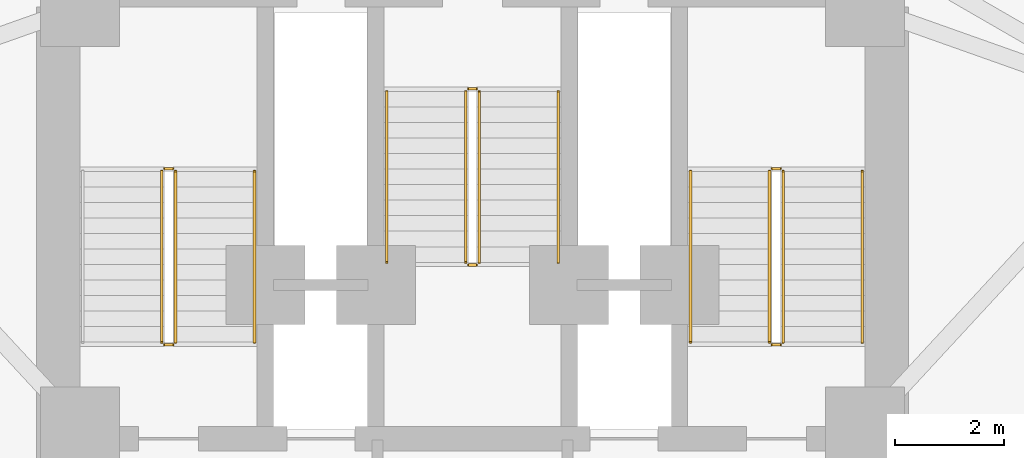
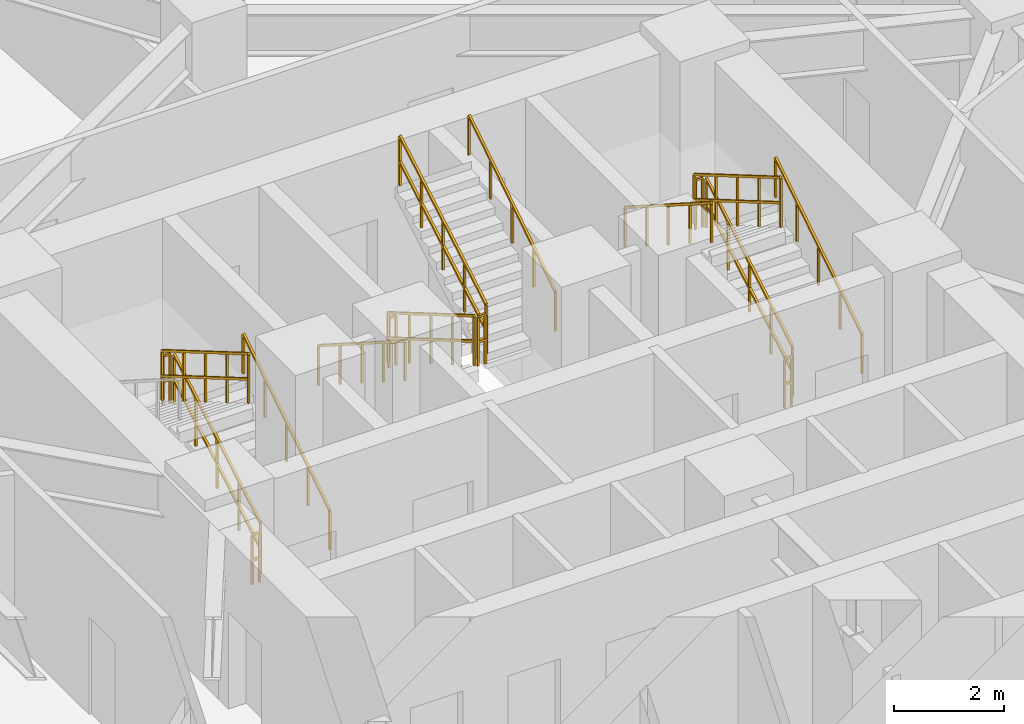
# One storey, part 8 of 9: 17 railings.
"""IFC4 building model written with IfcOpenShell, lengths in metres."""

from ifc_helpers import new_model, si_unit, direction, frame, origin, origin_2d, place, context, subcontext, project, spatial, rectangle, extrude, material, type_object, element, save


model = new_model("IFC4")

# Units and contexts
model_context = context("Model", 3, precision=1e-05, world=origin(), true_north=direction((0.0, 1.0)))
body_context = subcontext(model_context, "Body", "Model", "MODEL_VIEW")
ifc_project = project(units=[si_unit("LENGTHUNIT", "METRE"), si_unit("AREAUNIT", "SQUARE_METRE"), si_unit("VOLUMEUNIT", "CUBIC_METRE"), si_unit("PLANEANGLEUNIT", "RADIAN"), si_unit("MASSUNIT", "GRAM", prefix="KILO")], contexts=[model_context])

# Site, building, storey
site_placement = place(None, origin())
site = spatial("IfcSite", under=ifc_project, at=site_placement, CompositionType="ELEMENT")
building_placement = place(site_placement, origin())
building = spatial("IfcBuilding", under=site, at=building_placement, Name="Apsidion Concourse Tower", CompositionType="ELEMENT")
storey_placement = place(building_placement, frame((0.0, 0.0, 111.0)))
storey = spatial("IfcBuildingStorey", under=building, at=storey_placement, Name="L25", CompositionType="ELEMENT", Elevation=111.0)

# Railings
ifc_material = material(Name="Brushed stainless steel 316", Category="steel")
railing_type_1 = type_object("IfcRailingType", Name="RL-GUARD-1100", PredefinedType="GUARDRAIL", material=ifc_material)
railing_1_placement = place(storey_placement, frame((-5.449951171875, 3.0, 0.166748046875)))
element("IfcRailing", 1, at=railing_1_placement, inside=storey, type_object=railing_type_1, Name="L25 ST1 stair guard 1", PredefinedType="GUARDRAIL", context=body_context, shape_type="SweptSolid", body=[
    extrude(rectangle(XDim=0.048095703125, YDim=0.048095703125, at=origin_2d()), frame((0.0, 0.0, 1.09619140625), z_axis=(0.0, 0.863239559939, 0.504794475164), x_axis=(-1.0, 0.0, 0.0)), (0.0, 0.0, 1.0), 3.631591796875),
    extrude(rectangle(XDim=0.048095703125, YDim=0.048095703125, at=origin_2d()), frame((0.0, 0.0, 0.5361328125), z_axis=(0.0, 0.863239559939, 0.504794475164), x_axis=(-1.0, 0.0, 0.0)), (0.0, 0.0, 1.0), 3.631591796875),
    extrude(rectangle(XDim=0.0419921875, YDim=0.0419921875, at=origin_2d()), origin(), (0.0, 0.0, 1.0), 1.072021484375),
    extrude(rectangle(XDim=0.0419921875, YDim=0.0419921875, at=origin_2d()), frame((0.0, 0.78369140625, 0.458251953125)), (0.0, 0.0, 1.0), 1.072021484375),
    extrude(rectangle(XDim=0.0419921875, YDim=0.0419921875, at=origin_2d()), frame((0.0, 1.5673828125, 0.91650390625)), (0.0, 0.0, 1.0), 1.072021484375),
    extrude(rectangle(XDim=0.0419921875, YDim=0.0419921875, at=origin_2d()), frame((0.0, 2.351318359375, 1.375)), (0.0, 0.0, 1.0), 1.072021484375),
    extrude(rectangle(XDim=0.0419921875, YDim=0.0419921875, at=origin_2d()), frame((0.0, 3.135009765625, 1.833251953125)), (0.0, 0.0, 1.0), 1.072021484375),
])
railing_2_placement = place(storey_placement, frame((-5.5, 6.18505859375, 2.0)))
element("IfcRailing", 2, at=railing_2_placement, inside=storey, type_object=railing_type_1, Name="L25 ST1 stair guard 2", PredefinedType="GUARDRAIL", context=body_context, shape_type="SweptSolid", body=[
    extrude(rectangle(XDim=0.048095703125, YDim=0.048095703125, at=origin_2d()), frame((0.0, 0.0, 1.09619140625), z_axis=(-1.0, 0.0, 0.0), x_axis=(0.0, -1.0, 0.0)), (0.0, 0.0, 1.0), 0.14990234375),
    extrude(rectangle(XDim=0.048095703125, YDim=0.048095703125, at=origin_2d()), frame((0.0, 0.0, 0.5361328125), z_axis=(-1.0, 0.0, 0.0), x_axis=(0.0, -1.0, 0.0)), (0.0, 0.0, 1.0), 0.14990234375),
    extrude(rectangle(XDim=0.0419921875, YDim=0.0419921875, at=origin_2d()), origin(), (0.0, 0.0, 1.0), 1.072021484375),
    extrude(rectangle(XDim=0.0419921875, YDim=0.0419921875, at=origin_2d()), frame((-0.14990234375, 0.0, 0.0)), (0.0, 0.0, 1.0), 1.072021484375),
])
railing_3_placement = place(storey_placement, frame((-5.699951171875, 6.135009765625, 2.166748046875)))
element("IfcRailing", 3, at=railing_3_placement, inside=storey, type_object=railing_type_1, Name="L25 ST1 stair guard 3", PredefinedType="GUARDRAIL", context=body_context, shape_type="SweptSolid", body=[
    extrude(rectangle(XDim=0.048095703125, YDim=0.048095703125, at=origin_2d()), frame((0.0, 0.0, 1.09619140625), z_axis=(0.0, -0.863239559939, 0.504794475164), x_axis=(1.0, 0.0, 0.0)), (0.0, 0.0, 1.0), 3.631591796875),
    extrude(rectangle(XDim=0.048095703125, YDim=0.048095703125, at=origin_2d()), frame((0.0, 0.0, 0.5361328125), z_axis=(0.0, -0.863239559939, 0.504794475164), x_axis=(1.0, 0.0, 0.0)), (0.0, 0.0, 1.0), 3.631591796875),
    extrude(rectangle(XDim=0.0419921875, YDim=0.0419921875, at=origin_2d()), origin(), (0.0, 0.0, 1.0), 1.072021484375),
    extrude(rectangle(XDim=0.0419921875, YDim=0.0419921875, at=origin_2d()), frame((0.0, -0.78369140625, 0.458251953125)), (0.0, 0.0, 1.0), 1.072021484375),
    extrude(rectangle(XDim=0.0419921875, YDim=0.0419921875, at=origin_2d()), frame((0.0, -1.5673828125, 0.91650390625)), (0.0, 0.0, 1.0), 1.072021484375),
    extrude(rectangle(XDim=0.0419921875, YDim=0.0419921875, at=origin_2d()), frame((0.0, -2.351318359375, 1.375)), (0.0, 0.0, 1.0), 1.072021484375),
    extrude(rectangle(XDim=0.0419921875, YDim=0.0419921875, at=origin_2d()), frame((0.0, -3.135009765625, 1.833251953125)), (0.0, 0.0, 1.0), 1.072021484375),
])
railing_4_placement = place(storey_placement, frame((-5.5, 2.949951171875, 0.0)))
element("IfcRailing", 4, at=railing_4_placement, inside=storey, type_object=railing_type_1, Name="L25 ST1 stair guard 4", PredefinedType="GUARDRAIL", context=body_context, shape_type="SweptSolid", body=[
    extrude(rectangle(XDim=0.048095703125, YDim=0.048095703125, at=origin_2d()), frame((0.0, 0.0, 1.09619140625), z_axis=(-1.0, 0.0, 0.0), x_axis=(0.0, -1.0, 0.0)), (0.0, 0.0, 1.0), 0.14990234375),
    extrude(rectangle(XDim=0.048095703125, YDim=0.048095703125, at=origin_2d()), frame((0.0, 0.0, 0.5361328125), z_axis=(-1.0, 0.0, 0.0), x_axis=(0.0, -1.0, 0.0)), (0.0, 0.0, 1.0), 0.14990234375),
    extrude(rectangle(XDim=0.0419921875, YDim=0.0419921875, at=origin_2d()), origin(), (0.0, 0.0, 1.0), 1.072021484375),
    extrude(rectangle(XDim=0.0419921875, YDim=0.0419921875, at=origin_2d()), frame((-0.14990234375, 0.0, 0.0)), (0.0, 0.0, 1.0), 1.072021484375),
])
railing_5_placement = place(storey_placement, frame((5.699951171875, 3.0, 0.166748046875)))
element("IfcRailing", 5, at=railing_5_placement, inside=storey, type_object=railing_type_1, Name="L25 ST2 stair guard 1", PredefinedType="GUARDRAIL", context=body_context, shape_type="SweptSolid", body=[
    extrude(rectangle(XDim=0.048095703125, YDim=0.048095703125, at=origin_2d()), frame((0.0, 0.0, 1.09619140625), z_axis=(0.0, 0.863239559939, 0.504794475164), x_axis=(-1.0, 0.0, 0.0)), (0.0, 0.0, 1.0), 3.631591796875),
    extrude(rectangle(XDim=0.048095703125, YDim=0.048095703125, at=origin_2d()), frame((0.0, 0.0, 0.5361328125), z_axis=(0.0, 0.863239559939, 0.504794475164), x_axis=(-1.0, 0.0, 0.0)), (0.0, 0.0, 1.0), 3.631591796875),
    extrude(rectangle(XDim=0.0419921875, YDim=0.0419921875, at=origin_2d()), origin(), (0.0, 0.0, 1.0), 1.072021484375),
    extrude(rectangle(XDim=0.0419921875, YDim=0.0419921875, at=origin_2d()), frame((0.0, 0.78369140625, 0.458251953125)), (0.0, 0.0, 1.0), 1.072021484375),
    extrude(rectangle(XDim=0.0419921875, YDim=0.0419921875, at=origin_2d()), frame((0.0, 1.5673828125, 0.91650390625)), (0.0, 0.0, 1.0), 1.072021484375),
    extrude(rectangle(XDim=0.0419921875, YDim=0.0419921875, at=origin_2d()), frame((0.0, 2.351318359375, 1.375)), (0.0, 0.0, 1.0), 1.072021484375),
    extrude(rectangle(XDim=0.0419921875, YDim=0.0419921875, at=origin_2d()), frame((0.0, 3.135009765625, 1.833251953125)), (0.0, 0.0, 1.0), 1.072021484375),
])
railing_6_placement = place(storey_placement, frame((5.64990234375, 6.18505859375, 2.0)))
element("IfcRailing", 6, at=railing_6_placement, inside=storey, type_object=railing_type_1, Name="L25 ST2 stair guard 2", PredefinedType="GUARDRAIL", context=body_context, shape_type="SweptSolid", body=[
    extrude(rectangle(XDim=0.048095703125, YDim=0.048095703125, at=origin_2d()), frame((0.0, 0.0, 1.09619140625), z_axis=(-1.0, 0.0, 0.0), x_axis=(0.0, -1.0, 0.0)), (0.0, 0.0, 1.0), 0.14990234375),
    extrude(rectangle(XDim=0.048095703125, YDim=0.048095703125, at=origin_2d()), frame((0.0, 0.0, 0.5361328125), z_axis=(-1.0, 0.0, 0.0), x_axis=(0.0, -1.0, 0.0)), (0.0, 0.0, 1.0), 0.14990234375),
    extrude(rectangle(XDim=0.0419921875, YDim=0.0419921875, at=origin_2d()), origin(), (0.0, 0.0, 1.0), 1.072021484375),
    extrude(rectangle(XDim=0.0419921875, YDim=0.0419921875, at=origin_2d()), frame((-0.14990234375, 0.0, 0.0)), (0.0, 0.0, 1.0), 1.072021484375),
])
railing_7_placement = place(storey_placement, frame((5.449951171875, 6.135009765625, 2.166748046875)))
element("IfcRailing", 7, at=railing_7_placement, inside=storey, type_object=railing_type_1, Name="L25 ST2 stair guard 3", PredefinedType="GUARDRAIL", context=body_context, shape_type="SweptSolid", body=[
    extrude(rectangle(XDim=0.048095703125, YDim=0.048095703125, at=origin_2d()), frame((0.0, 0.0, 1.09619140625), z_axis=(0.0, -0.863239559939, 0.504794475164), x_axis=(1.0, 0.0, 0.0)), (0.0, 0.0, 1.0), 3.631591796875),
    extrude(rectangle(XDim=0.048095703125, YDim=0.048095703125, at=origin_2d()), frame((0.0, 0.0, 0.5361328125), z_axis=(0.0, -0.863239559939, 0.504794475164), x_axis=(1.0, 0.0, 0.0)), (0.0, 0.0, 1.0), 3.631591796875),
    extrude(rectangle(XDim=0.0419921875, YDim=0.0419921875, at=origin_2d()), origin(), (0.0, 0.0, 1.0), 1.072021484375),
    extrude(rectangle(XDim=0.0419921875, YDim=0.0419921875, at=origin_2d()), frame((0.0, -0.78369140625, 0.458251953125)), (0.0, 0.0, 1.0), 1.072021484375),
    extrude(rectangle(XDim=0.0419921875, YDim=0.0419921875, at=origin_2d()), frame((0.0, -1.5673828125, 0.91650390625)), (0.0, 0.0, 1.0), 1.072021484375),
    extrude(rectangle(XDim=0.0419921875, YDim=0.0419921875, at=origin_2d()), frame((0.0, -2.351318359375, 1.375)), (0.0, 0.0, 1.0), 1.072021484375),
    extrude(rectangle(XDim=0.0419921875, YDim=0.0419921875, at=origin_2d()), frame((0.0, -3.135009765625, 1.833251953125)), (0.0, 0.0, 1.0), 1.072021484375),
])
railing_8_placement = place(storey_placement, frame((5.64990234375, 2.949951171875, 0.0)))
element("IfcRailing", 8, at=railing_8_placement, inside=storey, type_object=railing_type_1, Name="L25 ST2 stair guard 4", PredefinedType="GUARDRAIL", context=body_context, shape_type="SweptSolid", body=[
    extrude(rectangle(XDim=0.048095703125, YDim=0.048095703125, at=origin_2d()), frame((0.0, 0.0, 1.09619140625), z_axis=(-1.0, 0.0, 0.0), x_axis=(0.0, -1.0, 0.0)), (0.0, 0.0, 1.0), 0.14990234375),
    extrude(rectangle(XDim=0.048095703125, YDim=0.048095703125, at=origin_2d()), frame((0.0, 0.0, 0.5361328125), z_axis=(-1.0, 0.0, 0.0), x_axis=(0.0, -1.0, 0.0)), (0.0, 0.0, 1.0), 0.14990234375),
    extrude(rectangle(XDim=0.0419921875, YDim=0.0419921875, at=origin_2d()), origin(), (0.0, 0.0, 1.0), 1.072021484375),
    extrude(rectangle(XDim=0.0419921875, YDim=0.0419921875, at=origin_2d()), frame((-0.14990234375, 0.0, 0.0)), (0.0, 0.0, 1.0), 1.072021484375),
])
railing_9_placement = place(storey_placement, frame((-0.125, 7.60009765625, 0.166748046875)))
element("IfcRailing", 9, at=railing_9_placement, inside=storey, type_object=railing_type_1, Name="L25 ST3 stair guard 1", PredefinedType="GUARDRAIL", context=body_context, shape_type="SweptSolid", body=[
    extrude(rectangle(XDim=0.048095703125, YDim=0.048095703125, at=origin_2d()), frame((0.0, 0.0, 1.09619140625), z_axis=(0.0, -0.863239559939, 0.504794475164), x_axis=(1.0, 0.0, 0.0)), (0.0, 0.0, 1.0), 3.631591796875),
    extrude(rectangle(XDim=0.048095703125, YDim=0.048095703125, at=origin_2d()), frame((0.0, 0.0, 0.5361328125), z_axis=(0.0, -0.863239559939, 0.504794475164), x_axis=(1.0, 0.0, 0.0)), (0.0, 0.0, 1.0), 3.631591796875),
    extrude(rectangle(XDim=0.0419921875, YDim=0.0419921875, at=origin_2d()), origin(), (0.0, 0.0, 1.0), 1.072021484375),
    extrude(rectangle(XDim=0.0419921875, YDim=0.0419921875, at=origin_2d()), frame((0.0, -0.78369140625, 0.458251953125)), (0.0, 0.0, 1.0), 1.072021484375),
    extrude(rectangle(XDim=0.0419921875, YDim=0.0419921875, at=origin_2d()), frame((0.0, -1.5673828125, 0.91650390625)), (0.0, 0.0, 1.0), 1.072021484375),
    extrude(rectangle(XDim=0.0419921875, YDim=0.0419921875, at=origin_2d()), frame((0.0, -2.351318359375, 1.375)), (0.0, 0.0, 1.0), 1.072021484375),
    extrude(rectangle(XDim=0.0419921875, YDim=0.0419921875, at=origin_2d()), frame((0.0, -3.135009765625, 1.833251953125)), (0.0, 0.0, 1.0), 1.072021484375),
])
railing_10_placement = place(storey_placement, frame((-0.074951171875, 4.4150390625, 2.0)))
element("IfcRailing", 10, at=railing_10_placement, inside=storey, type_object=railing_type_1, Name="L25 ST3 stair guard 2", PredefinedType="GUARDRAIL", context=body_context, shape_type="SweptSolid", body=[
    extrude(rectangle(XDim=0.048095703125, YDim=0.048095703125, at=origin_2d()), frame((0.0, 0.0, 1.09619140625), z_axis=(1.0, 0.0, 0.0), x_axis=(0.0, 1.0, 0.0)), (0.0, 0.0, 1.0), 0.14990234375),
    extrude(rectangle(XDim=0.048095703125, YDim=0.048095703125, at=origin_2d()), frame((0.0, 0.0, 0.5361328125), z_axis=(1.0, 0.0, 0.0), x_axis=(0.0, 1.0, 0.0)), (0.0, 0.0, 1.0), 0.14990234375),
    extrude(rectangle(XDim=0.0419921875, YDim=0.0419921875, at=origin_2d()), origin(), (0.0, 0.0, 1.0), 1.072021484375),
    extrude(rectangle(XDim=0.0419921875, YDim=0.0419921875, at=origin_2d()), frame((0.14990234375, 0.0, 0.0)), (0.0, 0.0, 1.0), 1.072021484375),
])
railing_11_placement = place(storey_placement, frame((0.125, 4.465087890625, 2.166748046875)))
element("IfcRailing", 11, at=railing_11_placement, inside=storey, type_object=railing_type_1, Name="L25 ST3 stair guard 3", PredefinedType="GUARDRAIL", context=body_context, shape_type="SweptSolid", body=[
    extrude(rectangle(XDim=0.048095703125, YDim=0.048095703125, at=origin_2d()), frame((0.0, 0.0, 1.09619140625), z_axis=(0.0, 0.863239559939, 0.504794475164), x_axis=(-1.0, 0.0, 0.0)), (0.0, 0.0, 1.0), 3.631591796875),
    extrude(rectangle(XDim=0.048095703125, YDim=0.048095703125, at=origin_2d()), frame((0.0, 0.0, 0.5361328125), z_axis=(0.0, 0.863239559939, 0.504794475164), x_axis=(-1.0, 0.0, 0.0)), (0.0, 0.0, 1.0), 3.631591796875),
    extrude(rectangle(XDim=0.0419921875, YDim=0.0419921875, at=origin_2d()), origin(), (0.0, 0.0, 1.0), 1.072021484375),
    extrude(rectangle(XDim=0.0419921875, YDim=0.0419921875, at=origin_2d()), frame((0.0, 0.78369140625, 0.458251953125)), (0.0, 0.0, 1.0), 1.072021484375),
    extrude(rectangle(XDim=0.0419921875, YDim=0.0419921875, at=origin_2d()), frame((0.0, 1.5673828125, 0.91650390625)), (0.0, 0.0, 1.0), 1.072021484375),
    extrude(rectangle(XDim=0.0419921875, YDim=0.0419921875, at=origin_2d()), frame((0.0, 2.351318359375, 1.375)), (0.0, 0.0, 1.0), 1.072021484375),
    extrude(rectangle(XDim=0.0419921875, YDim=0.0419921875, at=origin_2d()), frame((0.0, 3.135009765625, 1.833251953125)), (0.0, 0.0, 1.0), 1.072021484375),
])
railing_12_placement = place(storey_placement, frame((-0.074951171875, 7.64990234375, 0.0)))
element("IfcRailing", 12, at=railing_12_placement, inside=storey, type_object=railing_type_1, Name="L25 ST3 stair guard 4", PredefinedType="GUARDRAIL", context=body_context, shape_type="SweptSolid", body=[
    extrude(rectangle(XDim=0.048095703125, YDim=0.048095703125, at=origin_2d()), frame((0.0, 0.0, 1.09619140625), z_axis=(1.0, 0.0, 0.0), x_axis=(0.0, 1.0, 0.0)), (0.0, 0.0, 1.0), 0.14990234375),
    extrude(rectangle(XDim=0.048095703125, YDim=0.048095703125, at=origin_2d()), frame((0.0, 0.0, 0.5361328125), z_axis=(1.0, 0.0, 0.0), x_axis=(0.0, 1.0, 0.0)), (0.0, 0.0, 1.0), 0.14990234375),
    extrude(rectangle(XDim=0.0419921875, YDim=0.0419921875, at=origin_2d()), origin(), (0.0, 0.0, 1.0), 1.072021484375),
    extrude(rectangle(XDim=0.0419921875, YDim=0.0419921875, at=origin_2d()), frame((0.14990234375, 0.0, 0.0)), (0.0, 0.0, 1.0), 1.072021484375),
])
railing_type_2 = type_object("IfcRailingType", Name="RL-HAND-900", PredefinedType="HANDRAIL", material=ifc_material)
for number, where, name in (
    (13, (-4.0, 3.0, 0.166748046875), "L25 ST1 stair handrail 1"),
    (14, (7.14990234375, 3.0, 0.166748046875), "L25 ST2 stair handrail 1"),
):
    element("IfcRailing", number, at=place(storey_placement, frame(where)), inside=storey, type_object=railing_type_2, Name=name, PredefinedType="HANDRAIL", context=body_context, shape_type="SweptSolid", body=[
        extrude(rectangle(XDim=0.048095703125, YDim=0.048095703125, at=origin_2d()), frame((0.0, 0.0, 0.8759765625), z_axis=(0.0, 0.843052688722, 0.537830980921), x_axis=(-1.0, 0.0, 0.0)), (0.0, 0.0, 1.0), 3.71875),
        extrude(rectangle(XDim=0.0419921875, YDim=0.0419921875, at=origin_2d()), origin(), (0.0, 0.0, 1.0), 0.851806640625),
        extrude(rectangle(XDim=0.0419921875, YDim=0.0419921875, at=origin_2d()), frame((0.0, 0.78369140625, 0.5)), (0.0, 0.0, 1.0), 0.851806640625),
        extrude(rectangle(XDim=0.0419921875, YDim=0.0419921875, at=origin_2d()), frame((0.0, 1.5673828125, 1.0)), (0.0, 0.0, 1.0), 0.851806640625),
        extrude(rectangle(XDim=0.0419921875, YDim=0.0419921875, at=origin_2d()), frame((0.0, 2.351318359375, 1.5)), (0.0, 0.0, 1.0), 0.851806640625),
        extrude(rectangle(XDim=0.0419921875, YDim=0.0419921875, at=origin_2d()), frame((0.0, 3.135009765625, 2.0)), (0.0, 0.0, 1.0), 0.851806640625),
    ])
for number, where, name in (
    (15, (4.0, 6.135009765625, 2.166748046875), "L25 ST2 stair handrail 2"),
    (16, (-1.574951171875, 7.60009765625, 0.166748046875), "L25 ST3 stair handrail 1"),
):
    element("IfcRailing", number, at=place(storey_placement, frame(where)), inside=storey, type_object=railing_type_2, Name=name, PredefinedType="HANDRAIL", context=body_context, shape_type="SweptSolid", body=[
        extrude(rectangle(XDim=0.048095703125, YDim=0.048095703125, at=origin_2d()), frame((0.0, 0.0, 0.8759765625), z_axis=(0.0, -0.843052688722, 0.537830980921), x_axis=(1.0, 0.0, 0.0)), (0.0, 0.0, 1.0), 3.71875),
        extrude(rectangle(XDim=0.0419921875, YDim=0.0419921875, at=origin_2d()), origin(), (0.0, 0.0, 1.0), 0.851806640625),
        extrude(rectangle(XDim=0.0419921875, YDim=0.0419921875, at=origin_2d()), frame((0.0, -0.78369140625, 0.5)), (0.0, 0.0, 1.0), 0.851806640625),
        extrude(rectangle(XDim=0.0419921875, YDim=0.0419921875, at=origin_2d()), frame((0.0, -1.5673828125, 1.0)), (0.0, 0.0, 1.0), 0.851806640625),
        extrude(rectangle(XDim=0.0419921875, YDim=0.0419921875, at=origin_2d()), frame((0.0, -2.351318359375, 1.5)), (0.0, 0.0, 1.0), 0.851806640625),
        extrude(rectangle(XDim=0.0419921875, YDim=0.0419921875, at=origin_2d()), frame((0.0, -3.135009765625, 2.0)), (0.0, 0.0, 1.0), 0.851806640625),
    ])
railing_13_placement = place(storey_placement, frame((1.574951171875, 4.465087890625, 2.166748046875)))
element("IfcRailing", 17, at=railing_13_placement, inside=storey, type_object=railing_type_2, Name="L25 ST3 stair handrail 2", PredefinedType="HANDRAIL", context=body_context, shape_type="SweptSolid", body=[
    extrude(rectangle(XDim=0.048095703125, YDim=0.048095703125, at=origin_2d()), frame((0.0, 0.0, 0.8759765625), z_axis=(0.0, 0.843052688722, 0.537830980921), x_axis=(-1.0, 0.0, 0.0)), (0.0, 0.0, 1.0), 3.71875),
    extrude(rectangle(XDim=0.0419921875, YDim=0.0419921875, at=origin_2d()), origin(), (0.0, 0.0, 1.0), 0.851806640625),
    extrude(rectangle(XDim=0.0419921875, YDim=0.0419921875, at=origin_2d()), frame((0.0, 0.78369140625, 0.5)), (0.0, 0.0, 1.0), 0.851806640625),
    extrude(rectangle(XDim=0.0419921875, YDim=0.0419921875, at=origin_2d()), frame((0.0, 1.5673828125, 1.0)), (0.0, 0.0, 1.0), 0.851806640625),
    extrude(rectangle(XDim=0.0419921875, YDim=0.0419921875, at=origin_2d()), frame((0.0, 2.351318359375, 1.5)), (0.0, 0.0, 1.0), 0.851806640625),
    extrude(rectangle(XDim=0.0419921875, YDim=0.0419921875, at=origin_2d()), frame((0.0, 3.135009765625, 2.0)), (0.0, 0.0, 1.0), 0.851806640625),
])

save(model, "model.ifc")
